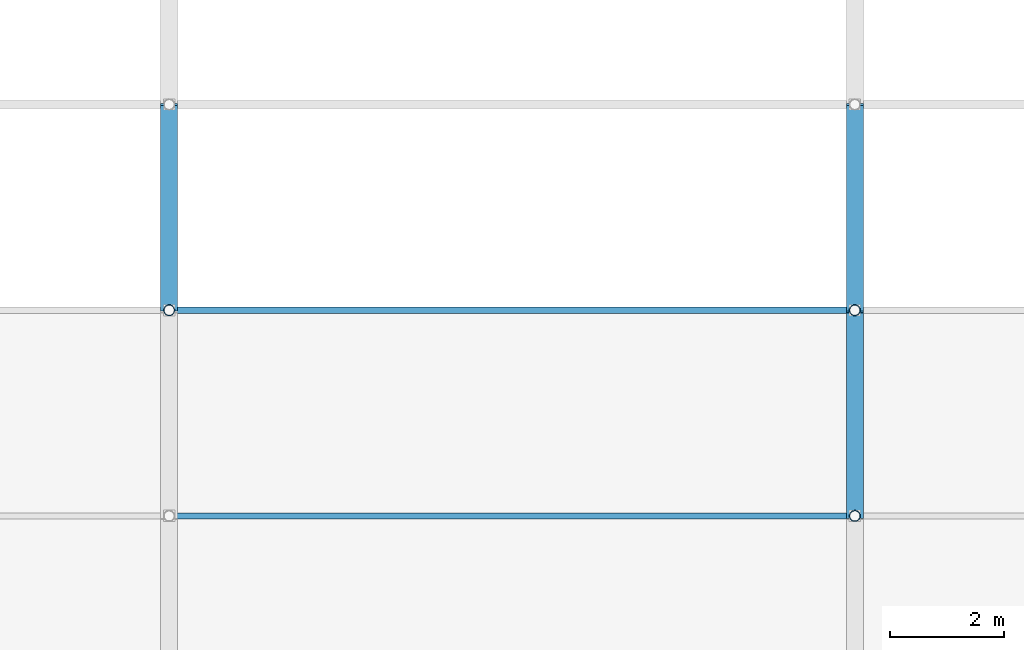
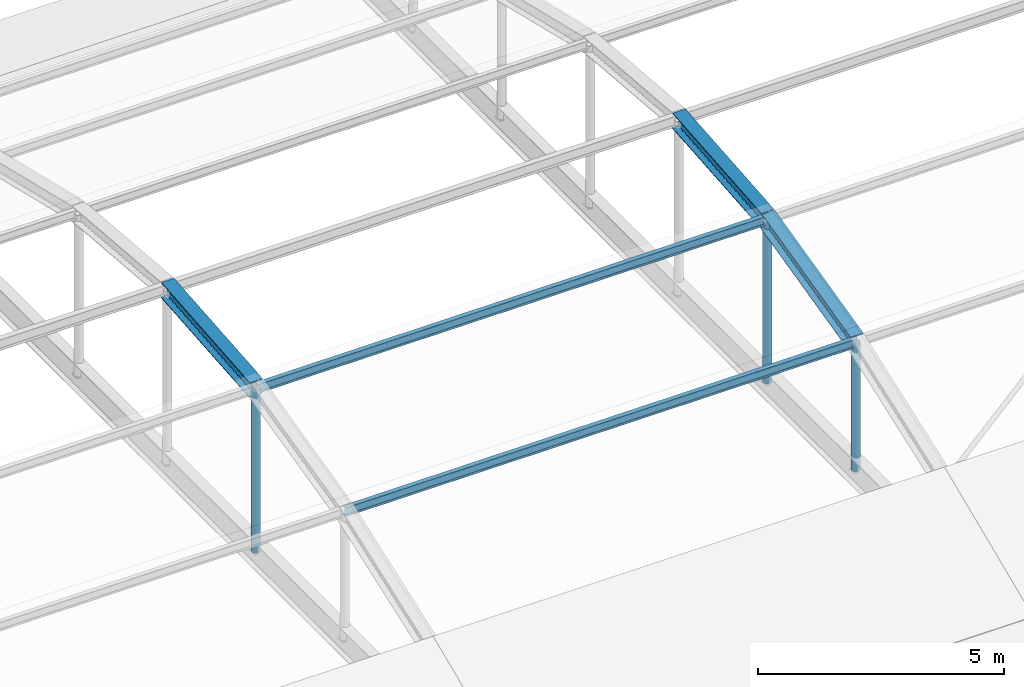
# One storey, part 177 of 239: 5 members, 3 beams.
"""IFC4 building model written with IfcOpenShell, lengths in metres."""

from ifc_helpers import new_model, si_unit, direction, frame, origin, origin_2d, place, context, subcontext, project, spatial, hollow_circle, i_section, extrude, material, material_profile, profile_set, type_object, element, save


model = new_model("IFC4")

# Units and contexts
model_context = context("Model", 3, precision=1e-05, world=origin(), true_north=direction((0.0, 1.0)))
body_context = subcontext(model_context, "Body", "Model", "MODEL_VIEW")
ifc_project = project(units=[si_unit("LENGTHUNIT", "METRE"), si_unit("AREAUNIT", "SQUARE_METRE"), si_unit("VOLUMEUNIT", "CUBIC_METRE"), si_unit("PLANEANGLEUNIT", "RADIAN"), si_unit("MASSUNIT", "GRAM", prefix="KILO")], contexts=[model_context])

# Site, building, storey
site_placement = place(None, origin())
site = spatial("IfcSite", under=ifc_project, at=site_placement, CompositionType="ELEMENT")
building_placement = place(site_placement, origin())
building = spatial("IfcBuilding", under=site, at=building_placement, Name="Dunvalen Ferry Terminal", CompositionType="ELEMENT")
storey_placement = place(building_placement, frame((0.0, 0.0, 9.840087890625)))
storey = spatial("IfcBuildingStorey", under=building, at=storey_placement, Name="L02", CompositionType="ELEMENT", Elevation=9.840087890625)

# Beams
ifc_material = material(Name="Steel S355", Category="steel")
ifc_material_profile_1 = material_profile(ifc_material, i_section(OverallWidth=0.300048828125, OverallDepth=0.389892578125, WebThickness=0.010986328125, FlangeThickness=0.01904296875, FilletRadius=0.027099609375, at=origin_2d()), Name="Steel S355")
ifc_profile_set_1 = profile_set([ifc_material_profile_1], Name="Steel S355")
beam_type = type_object("IfcBeamType", Name="STR-BM-HEA400", PredefinedType="BEAM", material=ifc_profile_set_1)
beam_1_placement = place(storey_placement, frame((144.0, 68.39990234375, 3.6953125), z_axis=(0.0, 0.996437742755, 0.084331635898), x_axis=(-1.0, 0.0, 0.0)))
element("IfcBeam", 1, at=beam_1_placement, inside=storey, type_object=beam_type, Name="Arrivals Hall Barrel-Vault Arch Rib 04.4", PredefinedType="BEAM", context=body_context, shape_type="SweptSolid", body=[
    extrude(i_section(OverallWidth=0.300048828125, OverallDepth=0.389892578125, WebThickness=0.010986328125, FlangeThickness=0.01904296875, FilletRadius=0.027099609375, at=origin_2d()), origin(), (0.0, 0.0, 1.0), 3.613037109375),
])
beam_2_placement = place(storey_placement, frame((156.0, 64.800048828125, 2.828369140625), z_axis=(0.0, 0.972204462661, 0.234133472154), x_axis=(-1.0, 0.0, 0.0)))
element("IfcBeam", 2, at=beam_2_placement, inside=storey, type_object=beam_type, Name="Arrivals Hall Barrel-Vault Arch Rib 05.3", PredefinedType="BEAM", context=body_context, shape_type="SweptSolid", body=[
    extrude(i_section(OverallWidth=0.300048828125, OverallDepth=0.389892578125, WebThickness=0.010986328125, FlangeThickness=0.01904296875, FilletRadius=0.027099609375, at=origin_2d()), origin(), (0.0, 0.0, 1.0), 3.702880859375),
])
beam_3_placement = place(storey_placement, frame((156.0, 68.39990234375, 3.6953125), z_axis=(0.0, 0.996437742755, 0.084331635898), x_axis=(-1.0, 0.0, 0.0)))
element("IfcBeam", 3, at=beam_3_placement, inside=storey, type_object=beam_type, Name="Arrivals Hall Barrel-Vault Arch Rib 05.4", PredefinedType="BEAM", context=body_context, shape_type="SweptSolid", body=[
    extrude(i_section(OverallWidth=0.300048828125, OverallDepth=0.389892578125, WebThickness=0.010986328125, FlangeThickness=0.01904296875, FilletRadius=0.027099609375, at=origin_2d()), origin(), (0.0, 0.0, 1.0), 3.613037109375),
])

# Members
ifc_material_profile_2 = material_profile(ifc_material, hollow_circle(Radius=0.096923828125, WallThickness=0.008056640625, at=origin_2d()), Name="Steel S355")
ifc_profile_set_2 = profile_set([ifc_material_profile_2], Name="Steel S355")
member_type_1 = type_object("IfcMemberType", Name="STR-MB-CHS193", PredefinedType="STRUT", material=ifc_profile_set_2)
member_1_placement = place(storey_placement, frame((144.0, 68.39990234375, -0.340087890625), z_axis=(0.0, 0.0, 1.0), x_axis=(1.0, 0.0, 0.0)))
element("IfcMember", 4, at=member_1_placement, inside=storey, type_object=member_type_1, Name="Arrivals Hall Vault Hanger 04.3", PredefinedType="STRUT", context=body_context, shape_type="SweptSolid", body=[
    extrude(hollow_circle(Radius=0.096923828125, WallThickness=0.008056640625, at=origin_2d()), origin(), (0.0, 0.0, 1.0), 4.035400390625),
])
member_2_placement = place(storey_placement, frame((156.0, 64.800048828125, -0.340087890625), z_axis=(0.0, 0.0, 1.0), x_axis=(1.0, 0.0, 0.0)))
element("IfcMember", 5, at=member_2_placement, inside=storey, type_object=member_type_1, Name="Arrivals Hall Vault Hanger 05.2", PredefinedType="STRUT", context=body_context, shape_type="SweptSolid", body=[
    extrude(hollow_circle(Radius=0.096923828125, WallThickness=0.008056640625, at=origin_2d()), origin(), (0.0, 0.0, 1.0), 3.16845703125),
])
member_3_placement = place(storey_placement, frame((156.0, 68.39990234375, -0.340087890625), z_axis=(0.0, 0.0, 1.0), x_axis=(1.0, 0.0, 0.0)))
element("IfcMember", 6, at=member_3_placement, inside=storey, type_object=member_type_1, Name="Arrivals Hall Vault Hanger 05.3", PredefinedType="STRUT", context=body_context, shape_type="SweptSolid", body=[
    extrude(hollow_circle(Radius=0.096923828125, WallThickness=0.008056640625, at=origin_2d()), origin(), (0.0, 0.0, 1.0), 4.035400390625),
])
ifc_material_profile_3 = material_profile(ifc_material, i_section(OverallWidth=0.110107421875, OverallDepth=0.219970703125, WebThickness=0.005859375, FlangeThickness=0.00927734375, FilletRadius=0.011962890625, at=origin_2d()), Name="Steel S355")
ifc_profile_set_3 = profile_set([ifc_material_profile_3], Name="Steel S355")
member_type_2 = type_object("IfcMemberType", Name="STR-MB-IPE220", PredefinedType="PURLIN", material=ifc_profile_set_3)
for number, where, z_axis, x_axis, name in (
    (7, (144.0, 64.800048828125, 2.828369140625), (1.0, 0.0, 0.0), (0.0, 1.0, 0.0), "Arrivals Hall Barrel-Vault Purlin 4.3"),
    (8, (144.0, 68.39990234375, 3.6953125), (1.0, 0.0, 0.0), (0.0, 1.0, 0.0), "Arrivals Hall Barrel-Vault Purlin 4.4"),
):
    element("IfcMember", number, at=place(storey_placement, frame(where, z_axis=z_axis, x_axis=x_axis)), inside=storey, type_object=member_type_2, Name=name, PredefinedType="PURLIN", context=body_context, shape_type="SweptSolid", body=[
        extrude(i_section(OverallWidth=0.110107421875, OverallDepth=0.219970703125, WebThickness=0.005859375, FlangeThickness=0.00927734375, FilletRadius=0.011962890625, at=origin_2d()), origin(), (0.0, 0.0, 1.0), 12.0),
    ])

save(model, "model.ifc")
